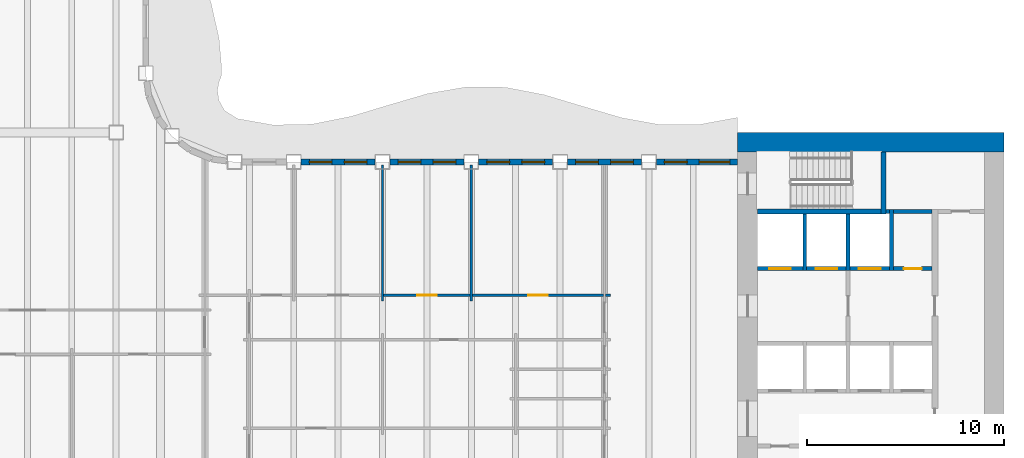
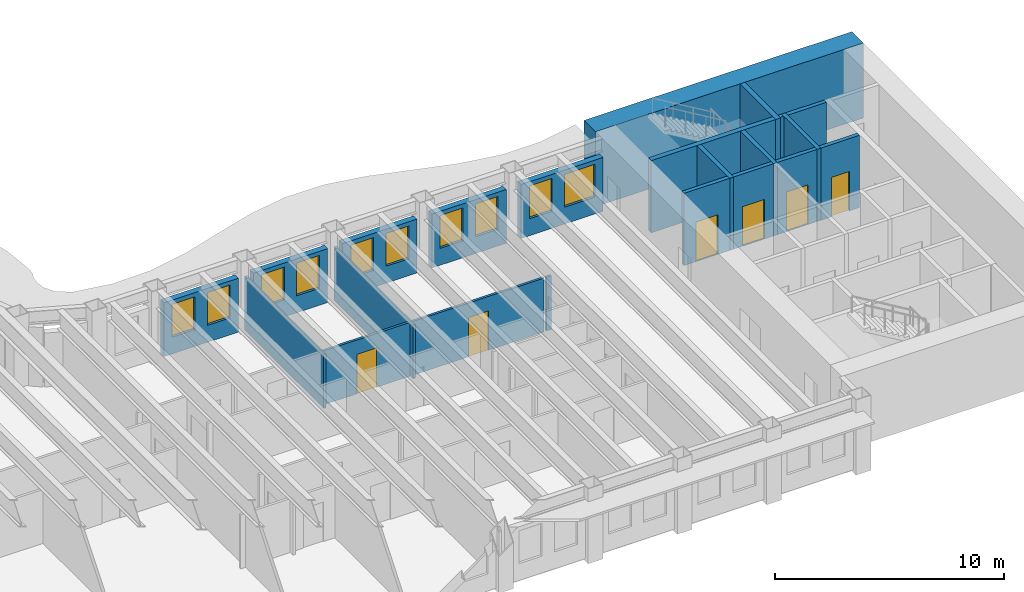
# One storey, part 7 of 16: 22 walls, 10 windows, 6 doors, 16 openings.
"""IFC4 building model written with IfcOpenShell, lengths in metres."""

from ifc_helpers import new_model, si_unit, direction, frame, frame_2d, origin, place, context, subcontext, project, spatial, rectangle, extrude, material, layer, layer_set, type_object, element, fill, save


model = new_model("IFC4")

# Units and contexts
model_context = context("Model", 3, precision=1e-05, world=origin(), true_north=direction((0.0, 1.0)))
body_context = subcontext(model_context, "Body", "Model", "MODEL_VIEW")
ifc_project = project(units=[si_unit("LENGTHUNIT", "METRE"), si_unit("AREAUNIT", "SQUARE_METRE"), si_unit("VOLUMEUNIT", "CUBIC_METRE"), si_unit("PLANEANGLEUNIT", "RADIAN"), si_unit("MASSUNIT", "GRAM", prefix="KILO")], contexts=[model_context])

# Site, building, storey
site_placement = place(None, origin())
site = spatial("IfcSite", under=ifc_project, at=site_placement, CompositionType="ELEMENT")
building_placement = place(site_placement, origin())
building = spatial("IfcBuilding", under=site, at=building_placement, Name="Sennacour Bend Tower", CompositionType="ELEMENT")
storey_placement = place(building_placement, frame((0.0, 0.0, 211.0)))
storey = spatial("IfcBuildingStorey", under=building, at=storey_placement, Name="L48", CompositionType="ELEMENT", Elevation=211.0)

# Walls
ifc_material_1 = material(Name="Concrete C60/75", Category="concrete")
ifc_layer_1 = layer(ifc_material_1, 1.0, Name="Concrete C60/75", Category="concrete")
ifc_layer_set_1 = layer_set([ifc_layer_1], Name="Concrete C60/75")
wall_type_1 = type_object("IfcWallType", Name="Core wall 1000 C60/75", PredefinedType="SHEAR", material=ifc_layer_set_1)
wall_1_placement = place(storey_placement, frame((54.0, 22.0, -0.14990234375), z_axis=(0.0, 0.0, 1.0), x_axis=(1.0, 0.0, 0.0)))
element("IfcWall", 1, at=wall_1_placement, inside=storey, type_object=wall_type_1, Name="Core A wall L48 N", PredefinedType="SHEAR", context=body_context, shape_type="SweptSolid", body=[
    extrude(rectangle(XDim=13.5, YDim=1.0, at=frame_2d((6.75, 0.0))), origin(), (0.0, 0.0, 1.0), 4.0),
])
ifc_material_2 = material(Name="Plasterboard partition on steel studs", Category="steel")
ifc_layer_2 = layer(ifc_material_2, 0.1201171875, Name="Plasterboard partition on steel studs", Category="steel")
ifc_layer_set_2 = layer_set([ifc_layer_2], Name="Plasterboard partition on steel studs")
wall_type_2 = type_object("IfcWallType", Name="Partition 120", PredefinedType="PARTITIONING", material=ifc_layer_set_2)
for number, where, z_axis, x_axis, name in (
    (2, (36.0, 13.949951171875, 0.0), (0.0, 0.0, 1.0), (0.0, 1.0, 0.0), "P-L48-W030a"),
    (3, (40.5, 13.949951171875, 0.0), (0.0, 0.0, 1.0), (0.0, 1.0, 0.0), "P-L48-W031a"),
):
    element("IfcWall", number, at=place(storey_placement, frame(where, z_axis=z_axis, x_axis=x_axis)), inside=storey, type_object=wall_type_2, Name=name, PredefinedType="PARTITIONING", context=body_context, shape_type="SweptSolid", body=[
        extrude(rectangle(XDim=6.900146484375, YDim=0.1201171875, at=frame_2d((3.4501953125, 0.0))), origin(), (0.0, 0.0, 1.0), 2.8701171875),
    ])

# Wall, opening, door
wall_2_placement = place(storey_placement, frame((36.06005859375, 14.25, 0.0), z_axis=(0.0, 0.0, 1.0), x_axis=(1.0, 0.0, 0.0)))
wall_2 = element("IfcWall", 4, at=wall_2_placement, inside=storey, type_object=wall_type_2, Name="P-L48-W065ae", PredefinedType="PARTITIONING", context=body_context, shape_type="SweptSolid", body=[
    extrude(rectangle(XDim=4.3798828125, YDim=0.1201171875, at=frame_2d((2.18994140625, 0.0))), origin(), (0.0, 0.0, 1.0), 2.8701171875),
])
opening_1_placement = place(wall_2_placement, frame((1.68994140625, 0.0, 0.0)))
opening_1 = element("IfcOpeningElement", 5, at=opening_1_placement, cuts=wall_2, Name="Opening OD2", PredefinedType="OPENING", context=body_context, shape_type="SweptSolid", body=[
    extrude(rectangle(XDim=1.0, YDim=2.10009765625, at=frame_2d((0.5, 1.050048828125))), frame((0.0, 0.070068359375, 0.0), z_axis=(0.0, -1.0, 0.0), x_axis=(1.0, 0.0, 0.0)), (0.0, 0.0, 1.0), 0.14013671875),
])
ifc_material_3 = material(Name="Timber", Category="wood")
door_type_1 = type_object("IfcDoorType", Name="DR-OFFICE-1000", OperationType="NOTDEFINED", PredefinedType="DOOR", material=ifc_material_3)
door_1_placement = place(opening_1_placement, origin())
door_1 = element("IfcDoor", 6, at=door_1_placement, inside=storey, type_object=door_type_1, Name="Door", OperationType="SINGLE_SWING_LEFT", OverallHeight=2.10009765625, OverallWidth=1.0, PredefinedType="DOOR", context=body_context, shape_type="SweptSolid", body=[
    extrude(rectangle(XDim=1.0, YDim=2.10009765625, at=frame_2d((0.5, 1.050048828125))), frame((0.0, 0.02490234375, 0.0), z_axis=(0.0, -1.0, 0.0), x_axis=(1.0, 0.0, 0.0)), (0.0, 0.0, 1.0), 0.050048828125),
])
fill(opening_1, door_1)

wall_3_placement = place(storey_placement, frame((40.56005859375, 14.25, 0.0), z_axis=(0.0, 0.0, 1.0), x_axis=(1.0, 0.0, 0.0)))
wall_3 = element("IfcWall", 7, at=wall_3_placement, inside=storey, type_object=wall_type_2, Name="P-L48-W065af", PredefinedType="PARTITIONING", context=body_context, shape_type="SweptSolid", body=[
    extrude(rectangle(XDim=6.6298828125, YDim=0.1201171875, at=frame_2d((3.31494140625, 0.0))), origin(), (0.0, 0.0, 1.0), 2.8701171875),
])
opening_2_placement = place(wall_3_placement, frame((2.81494140625, 0.0, 0.0)))
opening_2 = element("IfcOpeningElement", 8, at=opening_2_placement, cuts=wall_3, Name="Opening OD2", PredefinedType="OPENING", context=body_context, shape_type="SweptSolid", body=[
    extrude(rectangle(XDim=1.0, YDim=2.10009765625, at=frame_2d((0.5, 1.050048828125))), frame((0.0, 0.070068359375, 0.0), z_axis=(0.0, -1.0, 0.0), x_axis=(1.0, 0.0, 0.0)), (0.0, 0.0, 1.0), 0.14013671875),
])
door_2_placement = place(opening_2_placement, origin())
door_2 = element("IfcDoor", 9, at=door_2_placement, inside=storey, type_object=door_type_1, Name="Door", OperationType="SINGLE_SWING_LEFT", OverallHeight=2.10009765625, OverallWidth=1.0, PredefinedType="DOOR", context=body_context, shape_type="SweptSolid", body=[
    extrude(rectangle(XDim=1.0, YDim=2.10009765625, at=frame_2d((0.5, 1.050048828125))), frame((0.0, 0.02490234375, 0.0), z_axis=(0.0, -1.0, 0.0), x_axis=(1.0, 0.0, 0.0)), (0.0, 0.0, 1.0), 0.050048828125),
])
fill(opening_2, door_2)

# Wall
wall_4_placement = place(storey_placement, frame((47.31005859375, 14.25, 0.0), z_axis=(0.0, 0.0, 1.0), x_axis=(1.0, 0.0, 0.0)))
element("IfcWall", 10, at=wall_4_placement, inside=storey, type_object=wall_type_2, Name="P-L48-W065ag", PredefinedType="PARTITIONING", context=body_context, shape_type="SweptSolid", body=[
    extrude(rectangle(XDim=0.239990234375, YDim=0.1201171875, at=frame_2d((0.1201171875, 0.0))), origin(), (0.0, 0.0, 1.0), 2.8701171875),
])

# Wall, opening, door
ifc_material_4 = material(Name="Fire-rated plasterboard partition on steel studs", Category="steel")
ifc_layer_3 = layer(ifc_material_4, 0.199951171875, Name="Fire-rated plasterboard partition on steel studs", Category="steel")
ifc_layer_set_3 = layer_set([ifc_layer_3], Name="Fire-rated plasterboard partition on steel studs")
wall_type_3 = type_object("IfcWallType", Name="Rated partition 200", PredefinedType="PARTITIONING", material=ifc_layer_set_3)
wall_5_placement = place(storey_placement, frame((61.89990234375, 15.60009765625, 0.0), z_axis=(0.0, 0.0, 1.0), x_axis=(1.0, 0.0, 0.0)))
wall_5 = element("IfcWall", 11, at=wall_5_placement, inside=storey, type_object=wall_type_3, Name="P-L48-W067", PredefinedType="PARTITIONING", context=body_context, shape_type="SweptSolid", body=[
    extrude(rectangle(XDim=1.9501953125, YDim=0.199951171875, at=frame_2d((0.97509765625, 0.0))), origin(), (0.0, 0.0, 1.0), 3.85009765625),
])
opening_3_placement = place(wall_5_placement, frame((0.525146484375, 0.0, 0.0)))
opening_3 = element("IfcOpeningElement", 12, at=opening_3_placement, cuts=wall_5, Name="Opening SV", PredefinedType="OPENING", context=body_context, shape_type="SweptSolid", body=[
    extrude(rectangle(XDim=0.89990234375, YDim=2.10009765625, at=frame_2d((0.449951171875, 1.050048828125))), frame((0.0, 0.10986328125, 0.0), z_axis=(0.0, -1.0, 0.0), x_axis=(1.0, 0.0, 0.0)), (0.0, 0.0, 1.0), 0.219970703125),
])
ifc_material_5 = material(Name="Painted steel", Category="steel")
door_type_2 = type_object("IfcDoorType", Name="DR-SERVICE-900", OperationType="NOTDEFINED", PredefinedType="DOOR", material=ifc_material_5)
door_3_placement = place(opening_3_placement, origin())
door_3 = element("IfcDoor", 13, at=door_3_placement, inside=storey, type_object=door_type_2, Name="Door", OperationType="SINGLE_SWING_RIGHT", OverallHeight=2.10009765625, OverallWidth=0.89990234375, PredefinedType="DOOR", context=body_context, shape_type="SweptSolid", body=[
    extrude(rectangle(XDim=0.89990234375, YDim=2.10009765625, at=frame_2d((0.449951171875, 1.050048828125))), frame((0.0, 0.02490234375, 0.0), z_axis=(0.0, -1.0, 0.0), x_axis=(1.0, 0.0, 0.0)), (0.0, 0.0, 1.0), 0.050048828125),
])
fill(opening_3, door_3)

# Wall
wall_6_placement = place(storey_placement, frame((61.89990234375, 18.5, 0.0), z_axis=(0.0, 0.0, 1.0), x_axis=(1.0, 0.0, 0.0)))
element("IfcWall", 14, at=wall_6_placement, inside=storey, type_object=wall_type_3, Name="P-L48-W070a", PredefinedType="PARTITIONING", context=body_context, shape_type="SweptSolid", body=[
    extrude(rectangle(XDim=1.9501953125, YDim=0.199951171875, at=frame_2d((0.97509765625, 0.0))), origin(), (0.0, 0.0, 1.0), 3.85009765625),
])

# Wall, openings, windows
ifc_material_6 = material(Name="Warm limestone cladding", Category="masonry")
ifc_layer_4 = layer(ifc_material_6, 0.050048828125, Name="Warm limestone cladding", Category="masonry")
ifc_material_7 = material(Name="Precast concrete C40/50", Category="concrete")
ifc_layer_5 = layer(ifc_material_7, 0.25, Name="Precast concrete C40/50", Category="concrete")
ifc_layer_set_4 = layer_set([ifc_layer_4, ifc_layer_5], Name="Precast concrete C40/50 with limestone cladding")
wall_type_4 = type_object("IfcWallType", Name="STONE-CLAD PRECAST SPANDREL 300", PredefinedType="STANDARD", material=ifc_layer_set_4)
wall_7_placement = place(storey_placement, frame((54.0, 21.0, 0.0), z_axis=(0.0, 0.0, 1.0), x_axis=(-1.0, 0.0, 0.0)))
wall_7 = element("IfcWall", 15, at=wall_7_placement, inside=storey, type_object=wall_type_4, Name="Stone spandrel and pier wall L48 06.00", PredefinedType="STANDARD", context=body_context, shape_type="SweptSolid", body=[
    extrude(rectangle(XDim=4.125, YDim=0.300048828125, at=frame_2d((2.0625, 0.0))), origin(), (0.0, 0.0, 1.0), 2.8701171875),
])
opening_4_placement = place(wall_7_placement, frame((0.39990234375, 0.0, 0.89990234375)))
opening_4 = element("IfcOpeningElement", 16, at=opening_4_placement, cuts=wall_7, Name="Opening W12", PredefinedType="OPENING", context=body_context, shape_type="SweptSolid", body=[
    extrude(rectangle(XDim=1.550048828125, YDim=1.75, at=frame_2d((0.77490234375, 0.875))), frame((0.0, 0.16015625, 0.0), z_axis=(0.0, -1.0, 0.0), x_axis=(1.0, 0.0, 0.0)), (0.0, 0.0, 1.0), 0.320068359375),
])
opening_5_placement = place(wall_7_placement, frame((2.5625, 0.0, 0.89990234375)))
opening_5 = element("IfcOpeningElement", 17, at=opening_5_placement, cuts=wall_7, Name="Opening W23", PredefinedType="OPENING", context=body_context, shape_type="SweptSolid", body=[
    extrude(rectangle(XDim=1.14990234375, YDim=1.75, at=frame_2d((0.574951171875, 0.875))), frame((0.0, 0.16015625, 0.0), z_axis=(0.0, -1.0, 0.0), x_axis=(1.0, 0.0, 0.0)), (0.0, 0.0, 1.0), 0.320068359375),
])
ifc_material_8 = material(Name="Clear low-emissivity glass", Category="glass")
window_type_1 = type_object("IfcWindowType", Name="WIN-RIBBON-1150x1750", PartitioningType="SINGLE_PANEL", PredefinedType="WINDOW", material=ifc_material_8)
window_1_placement = place(opening_5_placement, origin())
window_1 = element("IfcWindow", 18, at=window_1_placement, inside=storey, type_object=window_type_1, Name="Ribbon window L48 06.00.1", OverallHeight=1.75, OverallWidth=1.14990234375, PartitioningType="SINGLE_PANEL", PredefinedType="WINDOW", context=body_context, shape_type="SweptSolid", body=[
    extrude(rectangle(XDim=1.14990234375, YDim=1.75, at=frame_2d((0.574951171875, 0.875))), frame((0.0, 0.030029296875, 0.0), z_axis=(0.0, -1.0, 0.0), x_axis=(1.0, 0.0, 0.0)), (0.0, 0.0, 1.0), 0.06005859375),
])
fill(opening_5, window_1)
window_type_2 = type_object("IfcWindowType", Name="WIN-RIBBON-1550x1750", PartitioningType="SINGLE_PANEL", PredefinedType="WINDOW", material=ifc_material_8)
window_2_placement = place(opening_4_placement, origin())
window_2 = element("IfcWindow", 19, at=window_2_placement, inside=storey, type_object=window_type_2, Name="Ribbon window L48 06.00.0", OverallHeight=1.75, OverallWidth=1.550048828125, PartitioningType="SINGLE_PANEL", PredefinedType="WINDOW", context=body_context, shape_type="SweptSolid", body=[
    extrude(rectangle(XDim=1.550048828125, YDim=1.75, at=frame_2d((0.77490234375, 0.875))), frame((0.0, 0.030029296875, 0.0), z_axis=(0.0, -1.0, 0.0), x_axis=(1.0, 0.0, 0.0)), (0.0, 0.0, 1.0), 0.06005859375),
])
fill(opening_4, window_2)

wall_8_placement = place(storey_placement, frame((49.125, 21.0, 0.0), z_axis=(0.0, 0.0, 1.0), x_axis=(-1.0, 0.0, 0.0)))
wall_8 = element("IfcWall", 20, at=wall_8_placement, inside=storey, type_object=wall_type_4, Name="Stone spandrel and pier wall L48 06.01", PredefinedType="STANDARD", context=body_context, shape_type="SweptSolid", body=[
    extrude(rectangle(XDim=3.75, YDim=0.300048828125, at=frame_2d((1.875, 0.0))), origin(), (0.0, 0.0, 1.0), 2.8701171875),
])
opening_6_placement = place(wall_8_placement, frame((0.41259765625, 0.0, 0.89990234375)))
opening_6 = element("IfcOpeningElement", 21, at=opening_6_placement, cuts=wall_8, Name="Opening W23", PredefinedType="OPENING", context=body_context, shape_type="SweptSolid", body=[
    extrude(rectangle(XDim=1.14990234375, YDim=1.75, at=frame_2d((0.574951171875, 0.875))), frame((0.0, 0.16015625, 0.0), z_axis=(0.0, -1.0, 0.0), x_axis=(1.0, 0.0, 0.0)), (0.0, 0.0, 1.0), 0.320068359375),
])
opening_7_placement = place(wall_8_placement, frame((2.1875, 0.0, 0.89990234375)))
opening_7 = element("IfcOpeningElement", 22, at=opening_7_placement, cuts=wall_8, Name="Opening W23", PredefinedType="OPENING", context=body_context, shape_type="SweptSolid", body=[
    extrude(rectangle(XDim=1.14990234375, YDim=1.75, at=frame_2d((0.574951171875, 0.875))), frame((0.0, 0.16015625, 0.0), z_axis=(0.0, -1.0, 0.0), x_axis=(1.0, 0.0, 0.0)), (0.0, 0.0, 1.0), 0.320068359375),
])
window_3_placement = place(opening_6_placement, origin())
window_3 = element("IfcWindow", 23, at=window_3_placement, inside=storey, type_object=window_type_1, Name="Ribbon window L48 06.01.0", OverallHeight=1.75, OverallWidth=1.14990234375, PartitioningType="SINGLE_PANEL", PredefinedType="WINDOW", context=body_context, shape_type="SweptSolid", body=[
    extrude(rectangle(XDim=1.14990234375, YDim=1.75, at=frame_2d((0.574951171875, 0.875))), frame((0.0, 0.030029296875, 0.0), z_axis=(0.0, -1.0, 0.0), x_axis=(1.0, 0.0, 0.0)), (0.0, 0.0, 1.0), 0.06005859375),
])
fill(opening_6, window_3)
window_4_placement = place(opening_7_placement, origin())
window_4 = element("IfcWindow", 24, at=window_4_placement, inside=storey, type_object=window_type_1, Name="Ribbon window L48 06.01.1", OverallHeight=1.75, OverallWidth=1.14990234375, PartitioningType="SINGLE_PANEL", PredefinedType="WINDOW", context=body_context, shape_type="SweptSolid", body=[
    extrude(rectangle(XDim=1.14990234375, YDim=1.75, at=frame_2d((0.574951171875, 0.875))), frame((0.0, 0.030029296875, 0.0), z_axis=(0.0, -1.0, 0.0), x_axis=(1.0, 0.0, 0.0)), (0.0, 0.0, 1.0), 0.06005859375),
])
fill(opening_7, window_4)

wall_9_placement = place(storey_placement, frame((44.625, 21.0, 0.0), z_axis=(0.0, 0.0, 1.0), x_axis=(-1.0, 0.0, 0.0)))
wall_9 = element("IfcWall", 25, at=wall_9_placement, inside=storey, type_object=wall_type_4, Name="Stone spandrel and pier wall L48 06.02", PredefinedType="STANDARD", context=body_context, shape_type="SweptSolid", body=[
    extrude(rectangle(XDim=3.75, YDim=0.300048828125, at=frame_2d((1.875, 0.0))), origin(), (0.0, 0.0, 1.0), 2.8701171875),
])
opening_8_placement = place(wall_9_placement, frame((0.41259765625, 0.0, 0.89990234375)))
opening_8 = element("IfcOpeningElement", 26, at=opening_8_placement, cuts=wall_9, Name="Opening W23", PredefinedType="OPENING", context=body_context, shape_type="SweptSolid", body=[
    extrude(rectangle(XDim=1.14990234375, YDim=1.75, at=frame_2d((0.574951171875, 0.875))), frame((0.0, 0.16015625, 0.0), z_axis=(0.0, -1.0, 0.0), x_axis=(1.0, 0.0, 0.0)), (0.0, 0.0, 1.0), 0.320068359375),
])
opening_9_placement = place(wall_9_placement, frame((2.1875, 0.0, 0.89990234375)))
opening_9 = element("IfcOpeningElement", 27, at=opening_9_placement, cuts=wall_9, Name="Opening W23", PredefinedType="OPENING", context=body_context, shape_type="SweptSolid", body=[
    extrude(rectangle(XDim=1.14990234375, YDim=1.75, at=frame_2d((0.574951171875, 0.875))), frame((0.0, 0.16015625, 0.0), z_axis=(0.0, -1.0, 0.0), x_axis=(1.0, 0.0, 0.0)), (0.0, 0.0, 1.0), 0.320068359375),
])
window_5_placement = place(opening_8_placement, origin())
window_5 = element("IfcWindow", 28, at=window_5_placement, inside=storey, type_object=window_type_1, Name="Ribbon window L48 06.02.0", OverallHeight=1.75, OverallWidth=1.14990234375, PartitioningType="SINGLE_PANEL", PredefinedType="WINDOW", context=body_context, shape_type="SweptSolid", body=[
    extrude(rectangle(XDim=1.14990234375, YDim=1.75, at=frame_2d((0.574951171875, 0.875))), frame((0.0, 0.030029296875, 0.0), z_axis=(0.0, -1.0, 0.0), x_axis=(1.0, 0.0, 0.0)), (0.0, 0.0, 1.0), 0.06005859375),
])
fill(opening_8, window_5)
window_6_placement = place(opening_9_placement, origin())
window_6 = element("IfcWindow", 29, at=window_6_placement, inside=storey, type_object=window_type_1, Name="Ribbon window L48 06.02.1", OverallHeight=1.75, OverallWidth=1.14990234375, PartitioningType="SINGLE_PANEL", PredefinedType="WINDOW", context=body_context, shape_type="SweptSolid", body=[
    extrude(rectangle(XDim=1.14990234375, YDim=1.75, at=frame_2d((0.574951171875, 0.875))), frame((0.0, 0.030029296875, 0.0), z_axis=(0.0, -1.0, 0.0), x_axis=(1.0, 0.0, 0.0)), (0.0, 0.0, 1.0), 0.06005859375),
])
fill(opening_9, window_6)

wall_10_placement = place(storey_placement, frame((40.125, 21.0, 0.0), z_axis=(0.0, 0.0, 1.0), x_axis=(-1.0, 0.0, 0.0)))
wall_10 = element("IfcWall", 30, at=wall_10_placement, inside=storey, type_object=wall_type_4, Name="Stone spandrel and pier wall L48 06.03", PredefinedType="STANDARD", context=body_context, shape_type="SweptSolid", body=[
    extrude(rectangle(XDim=3.75, YDim=0.300048828125, at=frame_2d((1.875, 0.0))), origin(), (0.0, 0.0, 1.0), 2.8701171875),
])
opening_10_placement = place(wall_10_placement, frame((0.41259765625, 0.0, 0.89990234375)))
opening_10 = element("IfcOpeningElement", 31, at=opening_10_placement, cuts=wall_10, Name="Opening W23", PredefinedType="OPENING", context=body_context, shape_type="SweptSolid", body=[
    extrude(rectangle(XDim=1.14990234375, YDim=1.75, at=frame_2d((0.574951171875, 0.875))), frame((0.0, 0.16015625, 0.0), z_axis=(0.0, -1.0, 0.0), x_axis=(1.0, 0.0, 0.0)), (0.0, 0.0, 1.0), 0.320068359375),
])
opening_11_placement = place(wall_10_placement, frame((2.1875, 0.0, 0.89990234375)))
opening_11 = element("IfcOpeningElement", 32, at=opening_11_placement, cuts=wall_10, Name="Opening W23", PredefinedType="OPENING", context=body_context, shape_type="SweptSolid", body=[
    extrude(rectangle(XDim=1.14990234375, YDim=1.75, at=frame_2d((0.574951171875, 0.875))), frame((0.0, 0.16015625, 0.0), z_axis=(0.0, -1.0, 0.0), x_axis=(1.0, 0.0, 0.0)), (0.0, 0.0, 1.0), 0.320068359375),
])
window_7_placement = place(opening_10_placement, origin())
window_7 = element("IfcWindow", 33, at=window_7_placement, inside=storey, type_object=window_type_1, Name="Ribbon window L48 06.03.0", OverallHeight=1.75, OverallWidth=1.14990234375, PartitioningType="SINGLE_PANEL", PredefinedType="WINDOW", context=body_context, shape_type="SweptSolid", body=[
    extrude(rectangle(XDim=1.14990234375, YDim=1.75, at=frame_2d((0.574951171875, 0.875))), frame((0.0, 0.030029296875, 0.0), z_axis=(0.0, -1.0, 0.0), x_axis=(1.0, 0.0, 0.0)), (0.0, 0.0, 1.0), 0.06005859375),
])
fill(opening_10, window_7)
window_8_placement = place(opening_11_placement, origin())
window_8 = element("IfcWindow", 34, at=window_8_placement, inside=storey, type_object=window_type_1, Name="Ribbon window L48 06.03.1", OverallHeight=1.75, OverallWidth=1.14990234375, PartitioningType="SINGLE_PANEL", PredefinedType="WINDOW", context=body_context, shape_type="SweptSolid", body=[
    extrude(rectangle(XDim=1.14990234375, YDim=1.75, at=frame_2d((0.574951171875, 0.875))), frame((0.0, 0.030029296875, 0.0), z_axis=(0.0, -1.0, 0.0), x_axis=(1.0, 0.0, 0.0)), (0.0, 0.0, 1.0), 0.06005859375),
])
fill(opening_11, window_8)

wall_11_placement = place(storey_placement, frame((35.625, 21.0, 0.0), z_axis=(0.0, 0.0, 1.0), x_axis=(-1.0, 0.0, 0.0)))
wall_11 = element("IfcWall", 35, at=wall_11_placement, inside=storey, type_object=wall_type_4, Name="Stone spandrel and pier wall L48 06.04", PredefinedType="STANDARD", context=body_context, shape_type="SweptSolid", body=[
    extrude(rectangle(XDim=3.75, YDim=0.300048828125, at=frame_2d((1.875, 0.0))), origin(), (0.0, 0.0, 1.0), 2.8701171875),
])
opening_12_placement = place(wall_11_placement, frame((0.41259765625, 0.0, 0.89990234375)))
opening_12 = element("IfcOpeningElement", 36, at=opening_12_placement, cuts=wall_11, Name="Opening W23", PredefinedType="OPENING", context=body_context, shape_type="SweptSolid", body=[
    extrude(rectangle(XDim=1.14990234375, YDim=1.75, at=frame_2d((0.574951171875, 0.875))), frame((0.0, 0.16015625, 0.0), z_axis=(0.0, -1.0, 0.0), x_axis=(1.0, 0.0, 0.0)), (0.0, 0.0, 1.0), 0.320068359375),
])
opening_13_placement = place(wall_11_placement, frame((2.1875, 0.0, 0.89990234375)))
opening_13 = element("IfcOpeningElement", 37, at=opening_13_placement, cuts=wall_11, Name="Opening W23", PredefinedType="OPENING", context=body_context, shape_type="SweptSolid", body=[
    extrude(rectangle(XDim=1.14990234375, YDim=1.75, at=frame_2d((0.574951171875, 0.875))), frame((0.0, 0.16015625, 0.0), z_axis=(0.0, -1.0, 0.0), x_axis=(1.0, 0.0, 0.0)), (0.0, 0.0, 1.0), 0.320068359375),
])
window_9_placement = place(opening_12_placement, origin())
window_9 = element("IfcWindow", 38, at=window_9_placement, inside=storey, type_object=window_type_1, Name="Ribbon window L48 06.04.0", OverallHeight=1.75, OverallWidth=1.14990234375, PartitioningType="SINGLE_PANEL", PredefinedType="WINDOW", context=body_context, shape_type="SweptSolid", body=[
    extrude(rectangle(XDim=1.14990234375, YDim=1.75, at=frame_2d((0.574951171875, 0.875))), frame((0.0, 0.030029296875, 0.0), z_axis=(0.0, -1.0, 0.0), x_axis=(1.0, 0.0, 0.0)), (0.0, 0.0, 1.0), 0.06005859375),
])
fill(opening_12, window_9)
window_10_placement = place(opening_13_placement, origin())
window_10 = element("IfcWindow", 39, at=window_10_placement, inside=storey, type_object=window_type_1, Name="Ribbon window L48 06.04.1", OverallHeight=1.75, OverallWidth=1.14990234375, PartitioningType="SINGLE_PANEL", PredefinedType="WINDOW", context=body_context, shape_type="SweptSolid", body=[
    extrude(rectangle(XDim=1.14990234375, YDim=1.75, at=frame_2d((0.574951171875, 0.875))), frame((0.0, 0.030029296875, 0.0), z_axis=(0.0, -1.0, 0.0), x_axis=(1.0, 0.0, 0.0)), (0.0, 0.0, 1.0), 0.06005859375),
])
fill(opening_13, window_10)

# Walls
ifc_material_9 = material(Name="Concrete C50/60", Category="concrete")
ifc_layer_6 = layer(ifc_material_9, 0.199951171875, Name="Concrete C50/60", Category="concrete")
ifc_layer_set_5 = layer_set([ifc_layer_6], Name="Concrete C50/60")
wall_type_5 = type_object("IfcWallType", Name="Shaft wall 200", PredefinedType="SOLIDWALL", material=ifc_layer_set_5)
for number, where, z_axis, x_axis, name in (
    (40, (57.39990234375, 15.5, 0.0), (0.0, 0.0, 1.0), (0.0, 1.0, 0.0), "P-L48-W038"),
    (41, (59.60009765625, 15.5, 0.0), (0.0, 0.0, 1.0), (0.0, 1.0, 0.0), "P-L48-W041"),
):
    element("IfcWall", number, at=place(storey_placement, frame(where, z_axis=z_axis, x_axis=x_axis)), inside=storey, type_object=wall_type_5, Name=name, PredefinedType="SOLIDWALL", context=body_context, shape_type="SweptSolid", body=[
        extrude(rectangle(XDim=2.875, YDim=0.199951171875, at=frame_2d((1.4375, 0.0))), origin(), (0.0, 0.0, 1.0), 3.85009765625),
    ])
wall_12_placement = place(storey_placement, frame((61.800048828125, 15.5, 0.0), z_axis=(0.0, 0.0, 1.0), x_axis=(0.0, 1.0, 0.0)))
element("IfcWall", 42, at=wall_12_placement, inside=storey, type_object=wall_type_5, Name="P-L48-W046", PredefinedType="SOLIDWALL", context=body_context, shape_type="SweptSolid", body=[
    extrude(rectangle(XDim=3.10009765625, YDim=0.199951171875, at=frame_2d((1.550048828125, 0.0))), origin(), (0.0, 0.0, 1.0), 3.85009765625),
])

# Wall, opening, door
wall_13_placement = place(storey_placement, frame((55.0, 15.60009765625, 0.0), z_axis=(0.0, 0.0, 1.0), x_axis=(1.0, 0.0, 0.0)))
wall_13 = element("IfcWall", 43, at=wall_13_placement, inside=storey, type_object=wall_type_5, Name="P-L48-W066a", PredefinedType="SOLIDWALL", context=body_context, shape_type="SweptSolid", body=[
    extrude(rectangle(XDim=2.300048828125, YDim=0.199951171875, at=frame_2d((1.14990234375, 0.0))), origin(), (0.0, 0.0, 1.0), 3.85009765625),
])
opening_14_placement = place(wall_13_placement, frame((0.60009765625, 0.0, 0.011962890625)))
opening_14 = element("IfcOpeningElement", 44, at=opening_14_placement, cuts=wall_13, Name="Opening FLD", PredefinedType="OPENING", context=body_context, shape_type="SweptSolid", body=[
    extrude(rectangle(XDim=1.10009765625, YDim=2.10009765625, at=frame_2d((0.550048828125, 1.050048828125))), frame((0.0, 0.10986328125, 0.0), z_axis=(0.0, -1.0, 0.0), x_axis=(1.0, 0.0, 0.0)), (0.0, 0.0, 1.0), 0.219970703125),
])
ifc_material_10 = material(Name="Stainless steel", Category="steel")
door_type_3 = type_object("IfcDoorType", Name="DR-FF-LANDING-1100", OperationType="NOTDEFINED", PredefinedType="DOOR", material=ifc_material_10)
door_4_placement = place(opening_14_placement, origin())
door_4 = element("IfcDoor", 45, at=door_4_placement, inside=storey, type_object=door_type_3, Name="Fire service lift landing door FA1", OperationType="SLIDING_TO_LEFT", OverallHeight=2.10009765625, OverallWidth=1.10009765625, PredefinedType="DOOR", context=body_context, shape_type="SweptSolid", body=[
    extrude(rectangle(XDim=1.10009765625, YDim=2.10009765625, at=frame_2d((0.550048828125, 1.050048828125))), frame((0.0, 0.02490234375, 0.0), z_axis=(0.0, -1.0, 0.0), x_axis=(1.0, 0.0, 0.0)), (0.0, 0.0, 1.0), 0.050048828125),
])
fill(opening_14, door_4)

wall_14_placement = place(storey_placement, frame((57.5, 15.60009765625, 0.0), z_axis=(0.0, 0.0, 1.0), x_axis=(1.0, 0.0, 0.0)))
wall_14 = element("IfcWall", 46, at=wall_14_placement, inside=storey, type_object=wall_type_5, Name="P-L48-W066b", PredefinedType="SOLIDWALL", context=body_context, shape_type="SweptSolid", body=[
    extrude(rectangle(XDim=2.0, YDim=0.199951171875, at=frame_2d((1.0, 0.0))), origin(), (0.0, 0.0, 1.0), 3.85009765625),
])
opening_15_placement = place(wall_14_placement, frame((0.449951171875, 0.0, 0.011962890625)))
opening_15 = element("IfcOpeningElement", 47, at=opening_15_placement, cuts=wall_14, Name="Opening FLD", PredefinedType="OPENING", context=body_context, shape_type="SweptSolid", body=[
    extrude(rectangle(XDim=1.10009765625, YDim=2.10009765625, at=frame_2d((0.550048828125, 1.050048828125))), frame((0.0, 0.10986328125, 0.0), z_axis=(0.0, -1.0, 0.0), x_axis=(1.0, 0.0, 0.0)), (0.0, 0.0, 1.0), 0.219970703125),
])
door_5_placement = place(opening_15_placement, origin())
door_5 = element("IfcDoor", 48, at=door_5_placement, inside=storey, type_object=door_type_3, Name="Fire service lift landing door FA2", OperationType="SLIDING_TO_RIGHT", OverallHeight=2.10009765625, OverallWidth=1.10009765625, PredefinedType="DOOR", context=body_context, shape_type="SweptSolid", body=[
    extrude(rectangle(XDim=1.10009765625, YDim=2.10009765625, at=frame_2d((0.550048828125, 1.050048828125))), frame((0.0, 0.02490234375, 0.0), z_axis=(0.0, -1.0, 0.0), x_axis=(1.0, 0.0, 0.0)), (0.0, 0.0, 1.0), 0.050048828125),
])
fill(opening_15, door_5)

wall_15_placement = place(storey_placement, frame((59.699951171875, 15.60009765625, 0.0), z_axis=(0.0, 0.0, 1.0), x_axis=(1.0, 0.0, 0.0)))
wall_15 = element("IfcWall", 49, at=wall_15_placement, inside=storey, type_object=wall_type_5, Name="P-L48-W066c", PredefinedType="SOLIDWALL", context=body_context, shape_type="SweptSolid", body=[
    extrude(rectangle(XDim=2.0, YDim=0.199951171875, at=frame_2d((1.0, 0.0))), origin(), (0.0, 0.0, 1.0), 3.85009765625),
])
opening_16_placement = place(wall_15_placement, frame((0.449951171875, 0.0, 0.011962890625)))
opening_16 = element("IfcOpeningElement", 50, at=opening_16_placement, cuts=wall_15, Name="Opening LD", PredefinedType="OPENING", context=body_context, shape_type="SweptSolid", body=[
    extrude(rectangle(XDim=1.10009765625, YDim=2.10009765625, at=frame_2d((0.550048828125, 1.050048828125))), frame((0.0, 0.10986328125, 0.0), z_axis=(0.0, -1.0, 0.0), x_axis=(1.0, 0.0, 0.0)), (0.0, 0.0, 1.0), 0.219970703125),
])
door_type_4 = type_object("IfcDoorType", Name="DR-LANDING-1100", OperationType="NOTDEFINED", PredefinedType="DOOR", material=ifc_material_10)
door_6_placement = place(opening_16_placement, origin())
door_6 = element("IfcDoor", 51, at=door_6_placement, inside=storey, type_object=door_type_4, Name="Lift landing door HA5", OperationType="SLIDING_TO_LEFT", OverallHeight=2.10009765625, OverallWidth=1.10009765625, PredefinedType="DOOR", context=body_context, shape_type="SweptSolid", body=[
    extrude(rectangle(XDim=1.10009765625, YDim=2.10009765625, at=frame_2d((0.550048828125, 1.050048828125))), frame((0.0, 0.02490234375, 0.0), z_axis=(0.0, -1.0, 0.0), x_axis=(1.0, 0.0, 0.0)), (0.0, 0.0, 1.0), 0.050048828125),
])
fill(opening_16, door_6)

# Walls
wall_16_placement = place(storey_placement, frame((61.52490234375, 18.5, 0.0), z_axis=(0.0, 0.0, 1.0), x_axis=(1.0, 0.0, 0.0)))
element("IfcWall", 52, at=wall_16_placement, inside=storey, type_object=wall_type_5, Name="P-L48-W069", PredefinedType="SOLIDWALL", context=body_context, shape_type="SweptSolid", body=[
    extrude(rectangle(XDim=0.175048828125, YDim=0.199951171875, at=frame_2d((0.08740234375, 0.0))), origin(), (0.0, 0.0, 1.0), 3.85009765625),
])
ifc_layer_7 = layer(ifc_material_1, 0.25, Name="Concrete C60/75", Category="concrete")
ifc_layer_set_6 = layer_set([ifc_layer_7], Name="Concrete C60/75")
wall_type_6 = type_object("IfcWallType", Name="Stair wall 250", PredefinedType="SHEAR", material=ifc_layer_set_6)
wall_17_placement = place(storey_placement, frame((61.39990234375, 18.375, 0.0), z_axis=(0.0, 0.0, 1.0), x_axis=(0.0, 1.0, 0.0)))
element("IfcWall", 53, at=wall_17_placement, inside=storey, type_object=wall_type_6, Name="P-L48-W043", PredefinedType="SHEAR", context=body_context, shape_type="SweptSolid", body=[
    extrude(rectangle(XDim=3.125, YDim=0.25, at=frame_2d((1.5625, 0.0))), origin(), (0.0, 0.0, 1.0), 3.85009765625),
])
wall_18_placement = place(storey_placement, frame((55.0, 18.5, 0.0), z_axis=(0.0, 0.0, 1.0), x_axis=(1.0, 0.0, 0.0)))
element("IfcWall", 54, at=wall_18_placement, inside=storey, type_object=wall_type_6, Name="P-L48-W068", PredefinedType="SHEAR", context=body_context, shape_type="SweptSolid", body=[
    extrude(rectangle(XDim=6.27490234375, YDim=0.25, at=frame_2d((3.137451171875, 0.0))), origin(), (0.0, 0.0, 1.0), 3.85009765625),
])

save(model, "model.ifc")
